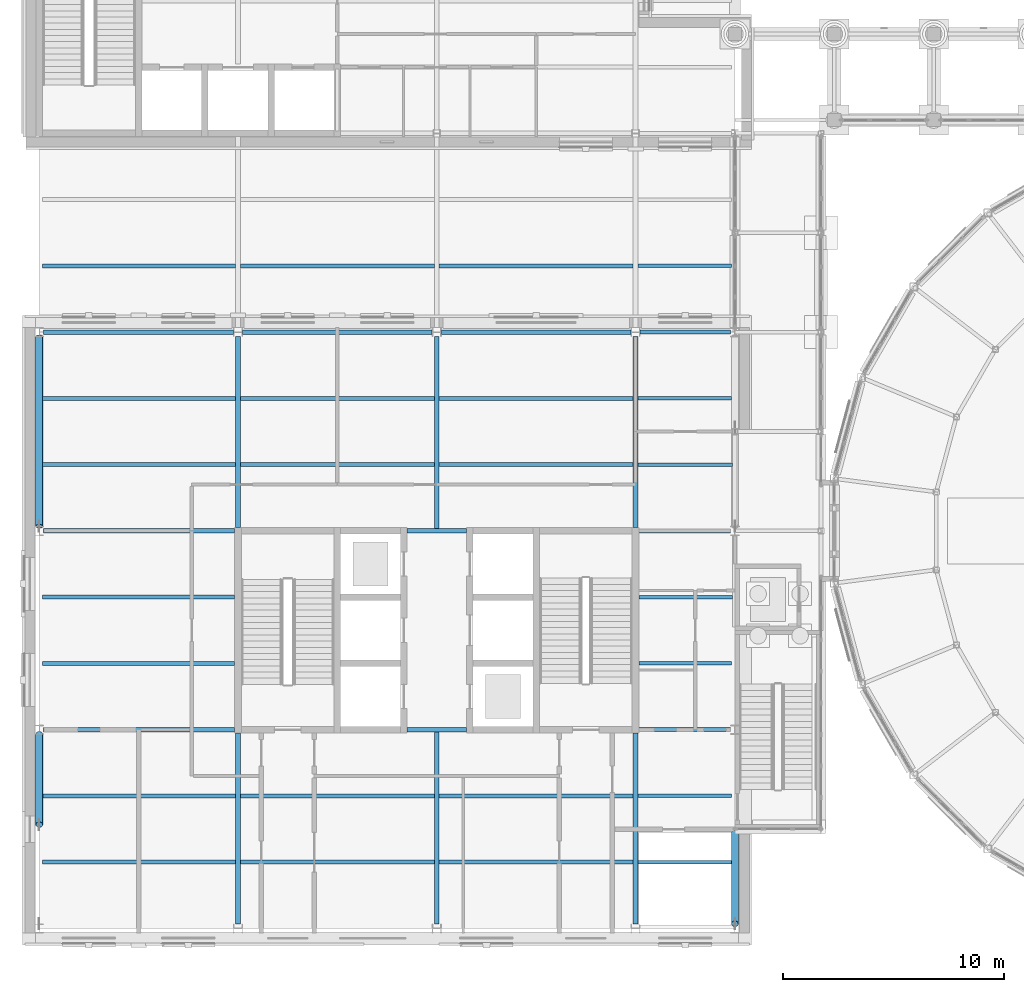
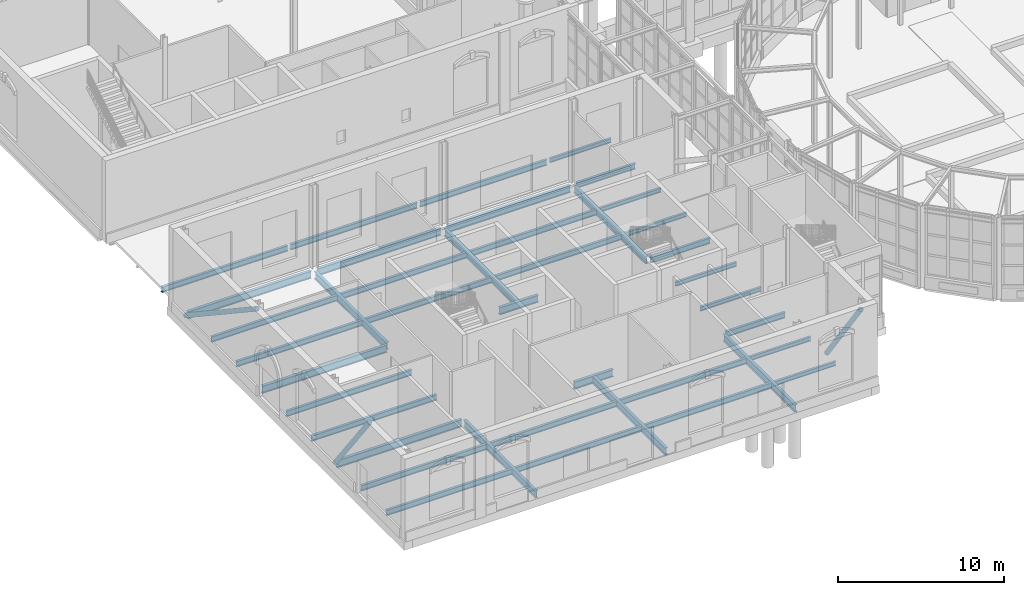
# One storey, part 25 of 106: 40 beams, 3 members.
"""IFC4 building model written with IfcOpenShell, lengths in metres."""

from ifc_helpers import new_model, si_unit, direction, frame, origin, origin_2d, place, context, subcontext, project, spatial, hollow_circle, i_section, extrude, material, material_profile, profile_set, type_object, element, save


model = new_model("IFC4")

# Units and contexts
model_context = context("Model", 3, precision=1e-05, world=origin(), true_north=direction((0.0, 1.0)))
body_context = subcontext(model_context, "Body", "Model", "MODEL_VIEW")
ifc_project = project(units=[si_unit("LENGTHUNIT", "METRE"), si_unit("AREAUNIT", "SQUARE_METRE"), si_unit("VOLUMEUNIT", "CUBIC_METRE"), si_unit("PLANEANGLEUNIT", "RADIAN"), si_unit("MASSUNIT", "GRAM", prefix="KILO")], contexts=[model_context])

# Site, building, storey
site_placement = place(None, origin())
site = spatial("IfcSite", under=ifc_project, at=site_placement, CompositionType="ELEMENT")
building_placement = place(site_placement, origin())
building = spatial("IfcBuilding", under=site, at=building_placement, Name="Hortulan Conservatory and Botanical Research Centre", CompositionType="ELEMENT")
storey_placement = place(building_placement, origin())
storey = spatial("IfcBuildingStorey", under=building, at=storey_placement, Name="L00", CompositionType="ELEMENT", Elevation=0.0)

# Members
ifc_material_1 = material(Name="Steel Grade C350L0 (350 MPa, AS/NZS 1163)", Category="steel")
ifc_material_profile_1 = material_profile(ifc_material_1, hollow_circle(Radius=0.161865234375, WallThickness=0.009521484375, at=origin_2d()), Name="323.9x9.5CHS")
ifc_profile_set_1 = profile_set([ifc_material_profile_1], Name="Steel Grade C350L0 (350 MPa, AS/NZS 1163)")
member_type = type_object("IfcMemberType", Name="Brace 323.9x9.5CHS", PredefinedType="BRACE", material=ifc_profile_set_1)
member_1_placement = place(storey_placement, frame((31.5, 4.300048828125, -0.449951171875), z_axis=(0.0, -0.58404840299, 0.811718832456), x_axis=(1.0, 0.0, 0.0)))
element("IfcMember", 1, at=member_1_placement, inside=storey, type_object=member_type, Name="323.9x9.5CHS brace", PredefinedType="BRACE", context=body_context, shape_type="SweptSolid", body=[
    extrude(hollow_circle(Radius=0.161865234375, WallThickness=0.009521484375, at=origin_2d()), origin(), (0.0, 0.0, 1.0), 7.001220703125),
])
member_2_placement = place(storey_placement, frame((0.0, 8.7890625, -0.169921875), z_axis=(0.0, -0.601498652197, 0.798873814444), x_axis=(1.0, 0.0, 0.0)))
element("IfcMember", 2, at=member_2_placement, inside=storey, type_object=member_type, Name="323.9x9.5CHS brace", PredefinedType="BRACE", context=body_context, shape_type="SweptSolid", body=[
    extrude(hollow_circle(Radius=0.161865234375, WallThickness=0.009521484375, at=origin_2d()), origin(), (0.0, 0.0, 1.0), 6.798095703125),
])
member_3_placement = place(storey_placement, frame((0.0, 26.7890625, -0.309814453125), z_axis=(0.0, -0.833055664208, 0.553189172282), x_axis=(1.0, 0.0, 0.0)))
element("IfcMember", 3, at=member_3_placement, inside=storey, type_object=member_type, Name="323.9x9.5CHS brace", PredefinedType="BRACE", context=body_context, shape_type="SweptSolid", body=[
    extrude(hollow_circle(Radius=0.161865234375, WallThickness=0.009521484375, at=origin_2d()), origin(), (0.0, 0.0, 1.0), 10.297119140625),
])

# Beams
ifc_material_2 = material(Name="Steel Grade 300PLUS (AS/NZS 3679.1, 280 MPa minimum yield)", Category="steel")
ifc_material_profile_2 = material_profile(ifc_material_2, i_section(OverallWidth=0.177978515625, OverallDepth=0.403076171875, WebThickness=0.007568359375, FlangeThickness=0.010986328125, FilletRadius=0.011474609375, at=origin_2d()), Name="410UB53.7")
ifc_profile_set_2 = profile_set([ifc_material_profile_2], Name="Steel Grade 300PLUS (AS/NZS 3679.1, 280 MPa minimum yield)")
beam_type_1 = type_object("IfcBeamType", Name="Primary Beam 410UB53.7", PredefinedType="BEAM", material=ifc_profile_set_2)
beam_1_placement = place(storey_placement, frame((27.2109375, 27.0, -0.401611328125), z_axis=(1.0, 0.0, 0.0), x_axis=(0.0, 1.0, 0.0)))
element("IfcBeam", 4, at=beam_1_placement, inside=storey, type_object=beam_type_1, Name="410UB53.7 girder", PredefinedType="BEAM", context=body_context, shape_type="SweptSolid", body=[
    extrude(i_section(OverallWidth=0.177978515625, OverallDepth=0.403076171875, WebThickness=0.007568359375, FlangeThickness=0.010986328125, FilletRadius=0.011474609375, at=origin_2d()), origin(), (0.0, 0.0, 1.0), 4.089111328125),
])
for number, where, z_axis, x_axis, name in (
    (5, (27.14990234375, 9.0, -0.401611328125), (1.0, 0.0, 0.0), (0.0, 1.0, 0.0), "410UB53.7 girder"),
    (6, (27.14990234375, 18.0, -0.401611328125), (1.0, 0.0, 0.0), (0.0, 1.0, 0.0), "410UB53.7 girder"),
):
    element("IfcBeam", number, at=place(storey_placement, frame(where, z_axis=z_axis, x_axis=x_axis)), inside=storey, type_object=beam_type_1, Name=name, PredefinedType="BEAM", context=body_context, shape_type="SweptSolid", body=[
        extrude(i_section(OverallWidth=0.177978515625, OverallDepth=0.403076171875, WebThickness=0.007568359375, FlangeThickness=0.010986328125, FilletRadius=0.011474609375, at=origin_2d()), origin(), (0.0, 0.0, 1.0), 4.150146484375),
    ])
ifc_material_profile_3 = material_profile(ifc_material_2, i_section(OverallWidth=0.208984375, OverallDepth=0.528076171875, WebThickness=0.009521484375, FlangeThickness=0.01318359375, FilletRadius=0.013916015625, at=origin_2d()), Name="530UB82.0")
ifc_profile_set_3 = profile_set([ifc_material_profile_3], Name="Steel Grade 300PLUS (AS/NZS 3679.1, 280 MPa minimum yield)")
beam_type_2 = type_object("IfcBeamType", Name="Primary Beam 530UB82.0", PredefinedType="BEAM", material=ifc_profile_set_3)
beam_2_placement = place(storey_placement, frame((0.199951171875, 27.0, -0.464111328125), z_axis=(1.0, 0.0, 0.0), x_axis=(0.0, 1.0, 0.0)))
element("IfcBeam", 7, at=beam_2_placement, inside=storey, type_object=beam_type_2, Name="530UB82.0 girder", PredefinedType="BEAM", context=body_context, shape_type="SweptSolid", body=[
    extrude(i_section(OverallWidth=0.208984375, OverallDepth=0.528076171875, WebThickness=0.009521484375, FlangeThickness=0.01318359375, FilletRadius=0.013916015625, at=origin_2d()), origin(), (0.0, 0.0, 1.0), 8.589111328125),
])
for number, where, z_axis, x_axis, name in (
    (8, (9.2109375, 27.0, -0.464111328125), (1.0, 0.0, 0.0), (0.0, 1.0, 0.0), "530UB82.0 girder"),
    (9, (18.2109375, 27.0, -0.464111328125), (1.0, 0.0, 0.0), (0.0, 1.0, 0.0), "530UB82.0 girder"),
):
    element("IfcBeam", number, at=place(storey_placement, frame(where, z_axis=z_axis, x_axis=x_axis)), inside=storey, type_object=beam_type_2, Name=name, PredefinedType="BEAM", context=body_context, shape_type="SweptSolid", body=[
        extrude(i_section(OverallWidth=0.208984375, OverallDepth=0.528076171875, WebThickness=0.009521484375, FlangeThickness=0.01318359375, FilletRadius=0.013916015625, at=origin_2d()), origin(), (0.0, 0.0, 1.0), 8.578125),
    ])
ifc_material_profile_4 = material_profile(ifc_material_2, i_section(OverallWidth=0.208984375, OverallDepth=0.532958984375, WebThickness=0.01025390625, FlangeThickness=0.015625, FilletRadius=0.013916015625, at=origin_2d()), Name="530UB92.4")
ifc_profile_set_4 = profile_set([ifc_material_profile_4], Name="Steel Grade 300PLUS (AS/NZS 3679.1, 280 MPa minimum yield)")
beam_type_3 = type_object("IfcBeamType", Name="Primary Beam 530UB92.4", PredefinedType="BEAM", material=ifc_profile_set_4)
for number, where, z_axis, x_axis, name in (
    (10, (0.199951171875, 9.0, -0.466552734375), (1.0, 0.0, 0.0), (0.0, 1.0, 0.0), "530UB92.4 girder"),
    (11, (0.199951171875, 18.0, -0.466552734375), (1.0, 0.0, 0.0), (0.0, 1.0, 0.0), "530UB92.4 girder"),
    (12, (9.0, 0.199951171875, -0.466552734375), (0.0, 1.0, 0.0), (-1.0, 0.0, 0.0), "530UB92.4 girder"),
    (13, (9.0, 18.14990234375, -0.466552734375), (0.0, 1.0, 0.0), (-1.0, 0.0, 0.0), "530UB92.4 girder"),
):
    element("IfcBeam", number, at=place(storey_placement, frame(where, z_axis=z_axis, x_axis=x_axis)), inside=storey, type_object=beam_type_3, Name=name, PredefinedType="BEAM", context=body_context, shape_type="SweptSolid", body=[
        extrude(i_section(OverallWidth=0.208984375, OverallDepth=0.532958984375, WebThickness=0.01025390625, FlangeThickness=0.015625, FilletRadius=0.013916015625, at=origin_2d()), origin(), (0.0, 0.0, 1.0), 8.650146484375),
    ])
for number, where, z_axis, x_axis, name in (
    (14, (16.64990234375, 9.0, -0.466552734375), (1.0, 0.0, 0.0), (0.0, 1.0, 0.0), "530UB92.4 girder"),
    (15, (16.64990234375, 18.0, -0.466552734375), (1.0, 0.0, 0.0), (0.0, 1.0, 0.0), "530UB92.4 girder"),
):
    element("IfcBeam", number, at=place(storey_placement, frame(where, z_axis=z_axis, x_axis=x_axis)), inside=storey, type_object=beam_type_3, Name=name, PredefinedType="BEAM", context=body_context, shape_type="SweptSolid", body=[
        extrude(i_section(OverallWidth=0.208984375, OverallDepth=0.532958984375, WebThickness=0.01025390625, FlangeThickness=0.015625, FilletRadius=0.013916015625, at=origin_2d()), origin(), (0.0, 0.0, 1.0), 2.7001953125),
    ])
for number, where, z_axis, x_axis, name in (
    (16, (18.0, 0.199951171875, -0.466552734375), (0.0, 1.0, 0.0), (-1.0, 0.0, 0.0), "530UB92.4 girder"),
    (17, (18.0, 18.0, -0.466552734375), (0.0, 1.0, 0.0), (-1.0, 0.0, 0.0), "530UB92.4 girder"),
):
    element("IfcBeam", number, at=place(storey_placement, frame(where, z_axis=z_axis, x_axis=x_axis)), inside=storey, type_object=beam_type_3, Name=name, PredefinedType="BEAM", context=body_context, shape_type="SweptSolid", body=[
        extrude(i_section(OverallWidth=0.208984375, OverallDepth=0.532958984375, WebThickness=0.01025390625, FlangeThickness=0.015625, FilletRadius=0.013916015625, at=origin_2d()), origin(), (0.0, 0.0, 1.0), 8.800048828125),
    ])
for number, where, z_axis, x_axis, name in (
    (18, (27.0, 0.199951171875, -0.466552734375), (0.0, 1.0, 0.0), (-1.0, 0.0, 0.0), "530UB92.4 girder"),
    (19, (27.0, 18.14990234375, -0.466552734375), (0.0, 1.0, 0.0), (-1.0, 0.0, 0.0), "530UB92.4 girder"),
):
    element("IfcBeam", number, at=place(storey_placement, frame(where, z_axis=z_axis, x_axis=x_axis)), inside=storey, type_object=beam_type_3, Name=name, PredefinedType="BEAM", context=body_context, shape_type="SweptSolid", body=[
        extrude(i_section(OverallWidth=0.208984375, OverallDepth=0.532958984375, WebThickness=0.01025390625, FlangeThickness=0.015625, FilletRadius=0.013916015625, at=origin_2d()), origin(), (0.0, 0.0, 1.0), 8.650146484375),
    ])
ifc_material_profile_5 = material_profile(ifc_material_2, i_section(OverallWidth=0.1650390625, OverallDepth=0.303955078125, WebThickness=0.006103515625, FlangeThickness=0.01025390625, FilletRadius=0.011474609375, at=origin_2d()), Name="310UB40.4")
ifc_profile_set_5 = profile_set([ifc_material_profile_5], Name="Steel Grade 300PLUS (AS/NZS 3679.1, 280 MPa minimum yield)")
beam_type_4 = type_object("IfcBeamType", Name="Secondary Beam 310UB40.4", PredefinedType="JOIST", material=ifc_profile_set_5)
for number, where, z_axis, x_axis, name in (
    (20, (27.1044921875, 3.0, -0.35205078125), (1.0, 0.0, 0.0), (0.0, 1.0, 0.0), "310UB40.4 secondary beam"),
    (21, (27.1044921875, 6.0, -0.35205078125), (1.0, 0.0, 0.0), (0.0, 1.0, 0.0), "310UB40.4 secondary beam"),
):
    element("IfcBeam", number, at=place(storey_placement, frame(where, z_axis=z_axis, x_axis=x_axis)), inside=storey, type_object=beam_type_4, Name=name, PredefinedType="JOIST", context=body_context, shape_type="SweptSolid", body=[
        extrude(i_section(OverallWidth=0.1650390625, OverallDepth=0.303955078125, WebThickness=0.006103515625, FlangeThickness=0.01025390625, FilletRadius=0.011474609375, at=origin_2d()), origin(), (0.0, 0.0, 1.0), 4.24560546875),
    ])
beam_3_placement = place(storey_placement, frame((27.14990234375, 12.0, -0.35205078125), z_axis=(1.0, 0.0, 0.0), x_axis=(0.0, 1.0, 0.0)))
element("IfcBeam", 22, at=beam_3_placement, inside=storey, type_object=beam_type_4, Name="310UB40.4 secondary beam", PredefinedType="JOIST", context=body_context, shape_type="SweptSolid", body=[
    extrude(i_section(OverallWidth=0.1650390625, OverallDepth=0.303955078125, WebThickness=0.006103515625, FlangeThickness=0.01025390625, FilletRadius=0.011474609375, at=origin_2d()), origin(), (0.0, 0.0, 1.0), 4.2001953125),
])
beam_4_placement = place(storey_placement, frame((27.14990234375, 15.0, -0.35205078125), z_axis=(1.0, 0.0, 0.0), x_axis=(0.0, 1.0, 0.0)))
element("IfcBeam", 23, at=beam_4_placement, inside=storey, type_object=beam_type_4, Name="310UB40.4 secondary beam", PredefinedType="JOIST", context=body_context, shape_type="SweptSolid", body=[
    extrude(i_section(OverallWidth=0.1650390625, OverallDepth=0.303955078125, WebThickness=0.006103515625, FlangeThickness=0.01025390625, FilletRadius=0.011474609375, at=origin_2d()), origin(), (0.0, 0.0, 1.0), 4.24560546875),
])
beam_5_placement = place(storey_placement, frame((27.1044921875, 21.0, -0.35205078125), z_axis=(1.0, 0.0, 0.0), x_axis=(0.0, 1.0, 0.0)))
element("IfcBeam", 24, at=beam_5_placement, inside=storey, type_object=beam_type_4, Name="310UB40.4 secondary beam", PredefinedType="JOIST", context=body_context, shape_type="SweptSolid", body=[
    extrude(i_section(OverallWidth=0.1650390625, OverallDepth=0.303955078125, WebThickness=0.006103515625, FlangeThickness=0.01025390625, FilletRadius=0.011474609375, at=origin_2d()), origin(), (0.0, 0.0, 1.0), 4.291015625),
])
for number, where, z_axis, x_axis, name in (
    (25, (27.1044921875, 24.0, -0.35205078125), (1.0, 0.0, 0.0), (0.0, 1.0, 0.0), "310UB40.4 secondary beam"),
    (26, (27.1044921875, 30.0, -0.35205078125), (1.0, 0.0, 0.0), (0.0, 1.0, 0.0), "310UB40.4 secondary beam"),
):
    element("IfcBeam", number, at=place(storey_placement, frame(where, z_axis=z_axis, x_axis=x_axis)), inside=storey, type_object=beam_type_4, Name=name, PredefinedType="JOIST", context=body_context, shape_type="SweptSolid", body=[
        extrude(i_section(OverallWidth=0.1650390625, OverallDepth=0.303955078125, WebThickness=0.006103515625, FlangeThickness=0.01025390625, FilletRadius=0.011474609375, at=origin_2d()), origin(), (0.0, 0.0, 1.0), 4.24560546875),
    ])
ifc_material_profile_6 = material_profile(ifc_material_2, i_section(OverallWidth=0.177978515625, OverallDepth=0.406005859375, WebThickness=0.0078125, FlangeThickness=0.0126953125, FilletRadius=0.011474609375, at=origin_2d()), Name="410UB59.7")
ifc_profile_set_6 = profile_set([ifc_material_profile_6], Name="Steel Grade 300PLUS (AS/NZS 3679.1, 280 MPa minimum yield)")
beam_type_5 = type_object("IfcBeamType", Name="Secondary Beam 410UB59.7", PredefinedType="JOIST", material=ifc_profile_set_6)
for number, where, z_axis, x_axis, name in (
    (27, (0.14990234375, 3.0, -0.403076171875), (1.0, 0.0, 0.0), (0.0, 1.0, 0.0), "410UB59.7 secondary beam"),
    (28, (0.14990234375, 6.0, -0.403076171875), (1.0, 0.0, 0.0), (0.0, 1.0, 0.0), "410UB59.7 secondary beam"),
):
    element("IfcBeam", number, at=place(storey_placement, frame(where, z_axis=z_axis, x_axis=x_axis)), inside=storey, type_object=beam_type_5, Name=name, PredefinedType="JOIST", context=body_context, shape_type="SweptSolid", body=[
        extrude(i_section(OverallWidth=0.177978515625, OverallDepth=0.406005859375, WebThickness=0.0078125, FlangeThickness=0.0126953125, FilletRadius=0.011474609375, at=origin_2d()), origin(), (0.0, 0.0, 1.0), 8.74560546875),
    ])
for number, where, z_axis, x_axis, name in (
    (29, (0.14990234375, 12.0, -0.403076171875), (1.0, 0.0, 0.0), (0.0, 1.0, 0.0), "410UB59.7 secondary beam"),
    (30, (0.14990234375, 15.0, -0.403076171875), (1.0, 0.0, 0.0), (0.0, 1.0, 0.0), "410UB59.7 secondary beam"),
):
    element("IfcBeam", number, at=place(storey_placement, frame(where, z_axis=z_axis, x_axis=x_axis)), inside=storey, type_object=beam_type_5, Name=name, PredefinedType="JOIST", context=body_context, shape_type="SweptSolid", body=[
        extrude(i_section(OverallWidth=0.177978515625, OverallDepth=0.406005859375, WebThickness=0.0078125, FlangeThickness=0.0126953125, FilletRadius=0.011474609375, at=origin_2d()), origin(), (0.0, 0.0, 1.0), 8.7001953125),
    ])
for number, where, z_axis, x_axis, name in (
    (31, (0.14990234375, 21.0, -0.403076171875), (1.0, 0.0, 0.0), (0.0, 1.0, 0.0), "410UB59.7 secondary beam"),
    (32, (0.14990234375, 24.0, -0.403076171875), (1.0, 0.0, 0.0), (0.0, 1.0, 0.0), "410UB59.7 secondary beam"),
):
    element("IfcBeam", number, at=place(storey_placement, frame(where, z_axis=z_axis, x_axis=x_axis)), inside=storey, type_object=beam_type_5, Name=name, PredefinedType="JOIST", context=body_context, shape_type="SweptSolid", body=[
        extrude(i_section(OverallWidth=0.177978515625, OverallDepth=0.406005859375, WebThickness=0.0078125, FlangeThickness=0.0126953125, FilletRadius=0.011474609375, at=origin_2d()), origin(), (0.0, 0.0, 1.0), 8.74560546875),
    ])
for number, where, z_axis, x_axis, name in (
    (33, (9.1044921875, 3.0, -0.403076171875), (1.0, 0.0, 0.0), (0.0, 1.0, 0.0), "410UB59.7 secondary beam"),
    (34, (9.1044921875, 6.0, -0.403076171875), (1.0, 0.0, 0.0), (0.0, 1.0, 0.0), "410UB59.7 secondary beam"),
    (35, (9.1044921875, 21.0, -0.403076171875), (1.0, 0.0, 0.0), (0.0, 1.0, 0.0), "410UB59.7 secondary beam"),
    (36, (9.1044921875, 24.0, -0.403076171875), (1.0, 0.0, 0.0), (0.0, 1.0, 0.0), "410UB59.7 secondary beam"),
    (37, (18.1044921875, 3.0, -0.403076171875), (1.0, 0.0, 0.0), (0.0, 1.0, 0.0), "410UB59.7 secondary beam"),
    (38, (18.1044921875, 6.0, -0.403076171875), (1.0, 0.0, 0.0), (0.0, 1.0, 0.0), "410UB59.7 secondary beam"),
    (39, (18.1044921875, 21.0, -0.403076171875), (1.0, 0.0, 0.0), (0.0, 1.0, 0.0), "410UB59.7 secondary beam"),
    (40, (18.1044921875, 24.0, -0.403076171875), (1.0, 0.0, 0.0), (0.0, 1.0, 0.0), "410UB59.7 secondary beam"),
):
    element("IfcBeam", number, at=place(storey_placement, frame(where, z_axis=z_axis, x_axis=x_axis)), inside=storey, type_object=beam_type_5, Name=name, PredefinedType="JOIST", context=body_context, shape_type="SweptSolid", body=[
        extrude(i_section(OverallWidth=0.177978515625, OverallDepth=0.406005859375, WebThickness=0.0078125, FlangeThickness=0.0126953125, FilletRadius=0.011474609375, at=origin_2d()), origin(), (0.0, 0.0, 1.0), 8.791015625),
    ])
beam_6_placement = place(storey_placement, frame((0.14990234375, 30.0, -0.403076171875), z_axis=(1.0, 0.0, 0.0), x_axis=(0.0, 1.0, 0.0)))
element("IfcBeam", 41, at=beam_6_placement, inside=storey, type_object=beam_type_5, Name="410UB59.7 secondary beam", PredefinedType="JOIST", context=body_context, shape_type="SweptSolid", body=[
    extrude(i_section(OverallWidth=0.177978515625, OverallDepth=0.406005859375, WebThickness=0.0078125, FlangeThickness=0.0126953125, FilletRadius=0.011474609375, at=origin_2d()), origin(), (0.0, 0.0, 1.0), 8.74560546875),
])
for number, where, z_axis, x_axis, name in (
    (42, (9.1044921875, 30.0, -0.403076171875), (1.0, 0.0, 0.0), (0.0, 1.0, 0.0), "410UB59.7 secondary beam"),
    (43, (18.1044921875, 30.0, -0.403076171875), (1.0, 0.0, 0.0), (0.0, 1.0, 0.0), "410UB59.7 secondary beam"),
):
    element("IfcBeam", number, at=place(storey_placement, frame(where, z_axis=z_axis, x_axis=x_axis)), inside=storey, type_object=beam_type_5, Name=name, PredefinedType="JOIST", context=body_context, shape_type="SweptSolid", body=[
        extrude(i_section(OverallWidth=0.177978515625, OverallDepth=0.406005859375, WebThickness=0.0078125, FlangeThickness=0.0126953125, FilletRadius=0.011474609375, at=origin_2d()), origin(), (0.0, 0.0, 1.0), 8.791015625),
    ])

save(model, "model.ifc")
